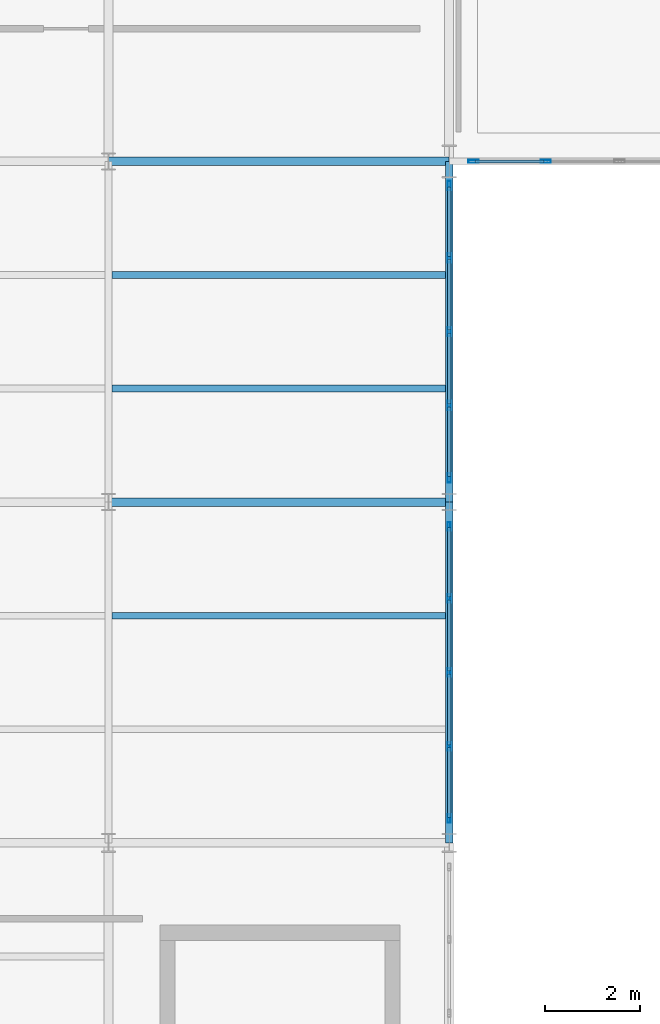
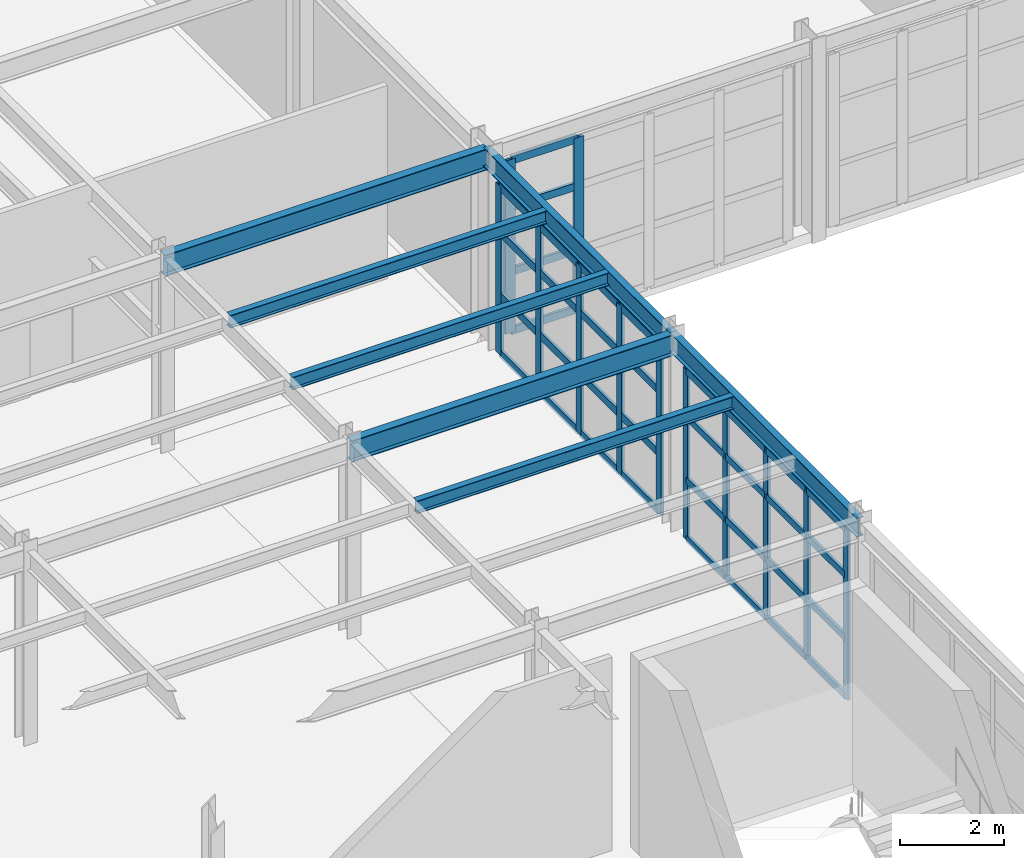
# One storey, part 28 of 126: 48 members, 7 beams, 3 elements without a shape of their own.
"""IFC4 building model written with IfcOpenShell, lengths in metres."""

from ifc_helpers import new_model, si_unit, direction, frame, origin, origin_2d, place, context, subcontext, project, spatial, hollow_rectangle, i_section, extrude, material, layer, layer_set, material_profile, profile_set, type_object, element, aggregate, save


model = new_model("IFC4")

# Units and contexts
model_context = context("Model", 3, precision=1e-05, world=origin(), true_north=direction((0.0, 1.0)))
body_context = subcontext(model_context, "Body", "Model", "MODEL_VIEW")
ifc_project = project(units=[si_unit("LENGTHUNIT", "METRE"), si_unit("AREAUNIT", "SQUARE_METRE"), si_unit("VOLUMEUNIT", "CUBIC_METRE"), si_unit("PLANEANGLEUNIT", "RADIAN"), si_unit("MASSUNIT", "GRAM", prefix="KILO")], contexts=[model_context])

# Site, building, storey
site_placement = place(None, origin())
site = spatial("IfcSite", under=ifc_project, at=site_placement, CompositionType="ELEMENT")
building_placement = place(site_placement, origin())
building = spatial("IfcBuilding", under=site, at=building_placement, Name="Solvadek Multi-Sports Hall", CompositionType="ELEMENT")
storey_placement = place(building_placement, frame((0.0, 0.0, 9.60009765625)))
storey = spatial("IfcBuildingStorey", under=building, at=storey_placement, Name="L02", CompositionType="ELEMENT", Elevation=9.60009765625)

# Curtain wall, members
ifc_material_1 = material(Name="Anodised aluminium", Category="aluminium")
ifc_layer_1 = layer(ifc_material_1, 0.159912109375, Name="Anodised aluminium")
ifc_layer_set_1 = layer_set([ifc_layer_1], Name="Anodised aluminium")
curtain_wall_type_1 = type_object("IfcCurtainWallType", Name="ENV-CW-624X400", PredefinedType="USERDEFINED", material=ifc_layer_set_1)
curtain_wall_1_placement = place(storey_placement, origin())
curtain_wall_1 = element("IfcCurtainWall", 1, at=curtain_wall_1_placement, inside=storey, type_object=curtain_wall_type_1, Name="L02 Perimeter Bay Curtain Wall #194", ObjectType="CURTAIN WALL", PredefinedType="USERDEFINED")
ifc_material_profile_1 = material_profile(ifc_material_1, hollow_rectangle(XDim=0.06005859375, YDim=0.179931640625, WallThickness=0.00390625, at=origin_2d()), Name="ALU-M 180x60x4")
ifc_profile_set_1 = profile_set([ifc_material_profile_1], Name="Anodised aluminium")
member_type_1 = type_object("IfcMemberType", Name="ENV-CWM-02", PredefinedType="MULLION", material=ifc_profile_set_1)
member_1_placement = place(storey_placement, frame((21.60009765625, 35.31005859375, 0.0), z_axis=(0.0, 0.0, 1.0), x_axis=(-1.0, 0.0, 0.0)))
member_1 = element("IfcMember", 2, at=member_1_placement, type_object=member_type_1, Name="CW-56 mullion 1", PredefinedType="MULLION", context=body_context, shape_type="SweptSolid", body=[
    extrude(hollow_rectangle(XDim=0.06005859375, YDim=0.179931640625, WallThickness=0.00390625, at=origin_2d()), origin(), (0.0, 0.0, 1.0), 4.0),
])
member_2_placement = place(storey_placement, frame((21.60009765625, 36.840087890625, 0.0), z_axis=(0.0, 0.0, 1.0), x_axis=(-1.0, 0.0, 0.0)))
member_2 = element("IfcMember", 3, at=member_2_placement, type_object=member_type_1, Name="CW-56 mullion 2", PredefinedType="MULLION", context=body_context, shape_type="SweptSolid", body=[
    extrude(hollow_rectangle(XDim=0.06005859375, YDim=0.179931640625, WallThickness=0.00390625, at=origin_2d()), origin(), (0.0, 0.0, 1.0), 4.0),
])
member_3_placement = place(storey_placement, frame((21.60009765625, 38.39990234375, 0.0), z_axis=(0.0, 0.0, 1.0), x_axis=(-1.0, 0.0, 0.0)))
member_3 = element("IfcMember", 4, at=member_3_placement, type_object=member_type_1, Name="CW-56 mullion 3", PredefinedType="MULLION", context=body_context, shape_type="SweptSolid", body=[
    extrude(hollow_rectangle(XDim=0.06005859375, YDim=0.179931640625, WallThickness=0.00390625, at=origin_2d()), origin(), (0.0, 0.0, 1.0), 4.0),
])
member_4_placement = place(storey_placement, frame((21.60009765625, 39.9599609375, 0.0), z_axis=(0.0, 0.0, 1.0), x_axis=(-1.0, 0.0, 0.0)))
member_4 = element("IfcMember", 5, at=member_4_placement, type_object=member_type_1, Name="CW-56 mullion 4", PredefinedType="MULLION", context=body_context, shape_type="SweptSolid", body=[
    extrude(hollow_rectangle(XDim=0.06005859375, YDim=0.179931640625, WallThickness=0.00390625, at=origin_2d()), origin(), (0.0, 0.0, 1.0), 4.0),
])
member_5_placement = place(storey_placement, frame((21.60009765625, 41.489990234375, 0.0), z_axis=(0.0, 0.0, 1.0), x_axis=(-1.0, 0.0, 0.0)))
member_5 = element("IfcMember", 6, at=member_5_placement, type_object=member_type_1, Name="CW-56 mullion 5", PredefinedType="MULLION", context=body_context, shape_type="SweptSolid", body=[
    extrude(hollow_rectangle(XDim=0.06005859375, YDim=0.179931640625, WallThickness=0.00390625, at=origin_2d()), origin(), (0.0, 0.0, 1.0), 4.0),
])

ifc_layer_2 = layer(ifc_material_1, 0.159912109375, Name="Anodised aluminium")
ifc_layer_set_2 = layer_set([ifc_layer_2], Name="Anodised aluminium")
curtain_wall_type_2 = type_object("IfcCurtainWallType", Name="ENV-CW-624X397", PredefinedType="USERDEFINED", material=ifc_layer_set_2)
curtain_wall_2_placement = place(storey_placement, origin())
curtain_wall_2 = element("IfcCurtainWall", 7, at=curtain_wall_2_placement, inside=storey, type_object=curtain_wall_type_2, Name="L02 Perimeter Bay Curtain Wall #199", ObjectType="CURTAIN WALL", PredefinedType="USERDEFINED")
ifc_material_profile_2 = material_profile(ifc_material_1, hollow_rectangle(XDim=0.06494140625, YDim=0.199951171875, WallThickness=0.0048828125, at=origin_2d()), Name="ALU-M 200x65x5")
ifc_profile_set_2 = profile_set([ifc_material_profile_2], Name="Anodised aluminium")
member_type_2 = type_object("IfcMemberType", Name="ENV-CWM-03", PredefinedType="MULLION", material=ifc_profile_set_2)
member_6_placement = place(storey_placement, frame((21.60009765625, 42.512451171875, 0.0), z_axis=(0.0, 0.0, 1.0), x_axis=(-1.0, 0.0, 0.0)))
member_6 = element("IfcMember", 8, at=member_6_placement, type_object=member_type_2, Name="CW-57 mullion 1", PredefinedType="MULLION", context=body_context, shape_type="SweptSolid", body=[
    extrude(hollow_rectangle(XDim=0.06494140625, YDim=0.199951171875, WallThickness=0.0048828125, at=origin_2d()), origin(), (0.0, 0.0, 1.0), 3.974853515625),
])
member_7_placement = place(storey_placement, frame((21.60009765625, 44.0400390625, 0.0), z_axis=(0.0, 0.0, 1.0), x_axis=(-1.0, 0.0, 0.0)))
member_7 = element("IfcMember", 9, at=member_7_placement, type_object=member_type_2, Name="CW-57 mullion 2", PredefinedType="MULLION", context=body_context, shape_type="SweptSolid", body=[
    extrude(hollow_rectangle(XDim=0.06494140625, YDim=0.199951171875, WallThickness=0.0048828125, at=origin_2d()), origin(), (0.0, 0.0, 1.0), 3.974853515625),
])
member_8_placement = place(storey_placement, frame((21.60009765625, 45.60009765625, 0.0), z_axis=(0.0, 0.0, 1.0), x_axis=(-1.0, 0.0, 0.0)))
member_8 = element("IfcMember", 10, at=member_8_placement, type_object=member_type_2, Name="CW-57 mullion 3", PredefinedType="MULLION", context=body_context, shape_type="SweptSolid", body=[
    extrude(hollow_rectangle(XDim=0.06494140625, YDim=0.199951171875, WallThickness=0.0048828125, at=origin_2d()), origin(), (0.0, 0.0, 1.0), 3.974853515625),
])
member_9_placement = place(storey_placement, frame((21.60009765625, 47.159912109375, 0.0), z_axis=(0.0, 0.0, 1.0), x_axis=(-1.0, 0.0, 0.0)))
member_9 = element("IfcMember", 11, at=member_9_placement, type_object=member_type_2, Name="CW-57 mullion 4", PredefinedType="MULLION", context=body_context, shape_type="SweptSolid", body=[
    extrude(hollow_rectangle(XDim=0.06494140625, YDim=0.199951171875, WallThickness=0.0048828125, at=origin_2d()), origin(), (0.0, 0.0, 1.0), 3.974853515625),
])
member_10_placement = place(storey_placement, frame((21.60009765625, 48.6875, 0.0), z_axis=(0.0, 0.0, 1.0), x_axis=(-1.0, 0.0, 0.0)))
member_10 = element("IfcMember", 12, at=member_10_placement, type_object=member_type_2, Name="CW-57 mullion 5", PredefinedType="MULLION", context=body_context, shape_type="SweptSolid", body=[
    extrude(hollow_rectangle(XDim=0.06494140625, YDim=0.199951171875, WallThickness=0.0048828125, at=origin_2d()), origin(), (0.0, 0.0, 1.0), 3.974853515625),
])

ifc_layer_3 = layer(ifc_material_1, 0.159912109375, Name="Anodised aluminium")
ifc_layer_set_3 = layer_set([ifc_layer_3], Name="Anodised aluminium")
curtain_wall_type_3 = type_object("IfcCurtainWallType", Name="ENV-CW-624X408", PredefinedType="USERDEFINED", material=ifc_layer_set_3)
curtain_wall_3_placement = place(storey_placement, origin())
curtain_wall_3 = element("IfcCurtainWall", 13, at=curtain_wall_3_placement, inside=storey, type_object=curtain_wall_type_3, Name="L02 Perimeter Bay Curtain Wall #157", ObjectType="CURTAIN WALL", PredefinedType="USERDEFINED")
ifc_material_profile_3 = material_profile(ifc_material_1, hollow_rectangle(XDim=0.06494140625, YDim=0.219970703125, WallThickness=0.0048828125, at=origin_2d()), Name="ALU-M 220x65x5")
ifc_profile_set_3 = profile_set([ifc_material_profile_3], Name="Anodised aluminium")
member_type_3 = type_object("IfcMemberType", Name="ENV-CWM-04", PredefinedType="MULLION", material=ifc_profile_set_3)
member_11_placement = place(storey_placement, frame((22.112548828125, 49.199951171875, 0.0), z_axis=(0.0, 0.0, 1.0), x_axis=(0.0, 1.0, 0.0)))
member_11 = element("IfcMember", 14, at=member_11_placement, type_object=member_type_3, Name="CW-40 mullion 1", PredefinedType="MULLION", context=body_context, shape_type="SweptSolid", body=[
    extrude(hollow_rectangle(XDim=0.06494140625, YDim=0.219970703125, WallThickness=0.0048828125, at=origin_2d()), origin(), (0.0, 0.0, 1.0), 4.074951171875),
])
member_12_placement = place(storey_placement, frame((23.639892578125, 49.199951171875, 0.0), z_axis=(0.0, 0.0, 1.0), x_axis=(0.0, 1.0, 0.0)))
member_12 = element("IfcMember", 15, at=member_12_placement, type_object=member_type_3, Name="CW-40 mullion 2", PredefinedType="MULLION", context=body_context, shape_type="SweptSolid", body=[
    extrude(hollow_rectangle(XDim=0.06494140625, YDim=0.219970703125, WallThickness=0.0048828125, at=origin_2d()), origin(), (0.0, 0.0, 1.0), 4.074951171875),
])

# Member
ifc_material_profile_4 = material_profile(ifc_material_1, hollow_rectangle(XDim=0.06494140625, YDim=0.159912109375, WallThickness=0.00390625, at=origin_2d()), Name="ALU-T 160x65x4")
ifc_profile_set_4 = profile_set([ifc_material_profile_4], Name="Anodised aluminium")
member_type_4 = type_object("IfcMemberType", Name="ENV-CWT-03", PredefinedType="USERDEFINED", material=ifc_profile_set_4)
member_13_placement = place(storey_placement, frame((21.60009765625, 35.340087890625, 0.032470703125), z_axis=(0.0, 1.0, 0.0), x_axis=(-1.0, 0.0, 0.0)))
member_13 = element("IfcMember", 16, at=member_13_placement, type_object=member_type_4, Name="CW-56 transom 1.1", ObjectType="TRANSOM", PredefinedType="USERDEFINED", context=body_context, shape_type="SweptSolid", body=[
    extrude(hollow_rectangle(XDim=0.06494140625, YDim=0.159912109375, WallThickness=0.00390625, at=origin_2d()), origin(), (0.0, 0.0, 1.0), 1.469970703125),
])

member_14_placement = place(storey_placement, frame((21.60009765625, 35.340087890625, 1.39990234375), z_axis=(0.0, 1.0, 0.0), x_axis=(-1.0, 0.0, 0.0)))
member_14 = element("IfcMember", 17, at=member_14_placement, type_object=member_type_4, Name="CW-56 transom 1.2", ObjectType="TRANSOM", PredefinedType="USERDEFINED", context=body_context, shape_type="SweptSolid", body=[
    extrude(hollow_rectangle(XDim=0.06494140625, YDim=0.159912109375, WallThickness=0.00390625, at=origin_2d()), origin(), (0.0, 0.0, 1.0), 1.469970703125),
])

member_15_placement = place(storey_placement, frame((21.60009765625, 35.340087890625, 2.8798828125), z_axis=(0.0, 1.0, 0.0), x_axis=(-1.0, 0.0, 0.0)))
member_15 = element("IfcMember", 18, at=member_15_placement, type_object=member_type_4, Name="CW-56 transom 1.3", ObjectType="TRANSOM", PredefinedType="USERDEFINED", context=body_context, shape_type="SweptSolid", body=[
    extrude(hollow_rectangle(XDim=0.06494140625, YDim=0.159912109375, WallThickness=0.00390625, at=origin_2d()), origin(), (0.0, 0.0, 1.0), 1.469970703125),
])

member_16_placement = place(storey_placement, frame((21.60009765625, 35.340087890625, 3.96728515625), z_axis=(0.0, 1.0, 0.0), x_axis=(-1.0, 0.0, 0.0)))
member_16 = element("IfcMember", 19, at=member_16_placement, type_object=member_type_4, Name="CW-56 transom 1.4", ObjectType="TRANSOM", PredefinedType="USERDEFINED", context=body_context, shape_type="SweptSolid", body=[
    extrude(hollow_rectangle(XDim=0.06494140625, YDim=0.159912109375, WallThickness=0.00390625, at=origin_2d()), origin(), (0.0, 0.0, 1.0), 1.469970703125),
])

member_17_placement = place(storey_placement, frame((21.60009765625, 36.8701171875, 0.032470703125), z_axis=(0.0, 1.0, 0.0), x_axis=(-1.0, 0.0, 0.0)))
member_17 = element("IfcMember", 20, at=member_17_placement, type_object=member_type_4, Name="CW-56 transom 2.1", ObjectType="TRANSOM", PredefinedType="USERDEFINED", context=body_context, shape_type="SweptSolid", body=[
    extrude(hollow_rectangle(XDim=0.06494140625, YDim=0.159912109375, WallThickness=0.00390625, at=origin_2d()), origin(), (0.0, 0.0, 1.0), 1.5),
])

member_18_placement = place(storey_placement, frame((21.60009765625, 36.8701171875, 1.39990234375), z_axis=(0.0, 1.0, 0.0), x_axis=(-1.0, 0.0, 0.0)))
member_18 = element("IfcMember", 21, at=member_18_placement, type_object=member_type_4, Name="CW-56 transom 2.2", ObjectType="TRANSOM", PredefinedType="USERDEFINED", context=body_context, shape_type="SweptSolid", body=[
    extrude(hollow_rectangle(XDim=0.06494140625, YDim=0.159912109375, WallThickness=0.00390625, at=origin_2d()), origin(), (0.0, 0.0, 1.0), 1.5),
])

member_19_placement = place(storey_placement, frame((21.60009765625, 36.8701171875, 2.8798828125), z_axis=(0.0, 1.0, 0.0), x_axis=(-1.0, 0.0, 0.0)))
member_19 = element("IfcMember", 22, at=member_19_placement, type_object=member_type_4, Name="CW-56 transom 2.3", ObjectType="TRANSOM", PredefinedType="USERDEFINED", context=body_context, shape_type="SweptSolid", body=[
    extrude(hollow_rectangle(XDim=0.06494140625, YDim=0.159912109375, WallThickness=0.00390625, at=origin_2d()), origin(), (0.0, 0.0, 1.0), 1.5),
])

member_20_placement = place(storey_placement, frame((21.60009765625, 36.8701171875, 3.96728515625), z_axis=(0.0, 1.0, 0.0), x_axis=(-1.0, 0.0, 0.0)))
member_20 = element("IfcMember", 23, at=member_20_placement, type_object=member_type_4, Name="CW-56 transom 2.4", ObjectType="TRANSOM", PredefinedType="USERDEFINED", context=body_context, shape_type="SweptSolid", body=[
    extrude(hollow_rectangle(XDim=0.06494140625, YDim=0.159912109375, WallThickness=0.00390625, at=origin_2d()), origin(), (0.0, 0.0, 1.0), 1.5),
])

member_21_placement = place(storey_placement, frame((21.60009765625, 38.429931640625, 0.032470703125), z_axis=(0.0, 1.0, 0.0), x_axis=(-1.0, 0.0, 0.0)))
member_21 = element("IfcMember", 24, at=member_21_placement, type_object=member_type_4, Name="CW-56 transom 3.1", ObjectType="TRANSOM", PredefinedType="USERDEFINED", context=body_context, shape_type="SweptSolid", body=[
    extrude(hollow_rectangle(XDim=0.06494140625, YDim=0.159912109375, WallThickness=0.00390625, at=origin_2d()), origin(), (0.0, 0.0, 1.0), 1.5),
])

member_22_placement = place(storey_placement, frame((21.60009765625, 38.429931640625, 1.39990234375), z_axis=(0.0, 1.0, 0.0), x_axis=(-1.0, 0.0, 0.0)))
member_22 = element("IfcMember", 25, at=member_22_placement, type_object=member_type_4, Name="CW-56 transom 3.2", ObjectType="TRANSOM", PredefinedType="USERDEFINED", context=body_context, shape_type="SweptSolid", body=[
    extrude(hollow_rectangle(XDim=0.06494140625, YDim=0.159912109375, WallThickness=0.00390625, at=origin_2d()), origin(), (0.0, 0.0, 1.0), 1.5),
])

member_23_placement = place(storey_placement, frame((21.60009765625, 38.429931640625, 2.8798828125), z_axis=(0.0, 1.0, 0.0), x_axis=(-1.0, 0.0, 0.0)))
member_23 = element("IfcMember", 26, at=member_23_placement, type_object=member_type_4, Name="CW-56 transom 3.3", ObjectType="TRANSOM", PredefinedType="USERDEFINED", context=body_context, shape_type="SweptSolid", body=[
    extrude(hollow_rectangle(XDim=0.06494140625, YDim=0.159912109375, WallThickness=0.00390625, at=origin_2d()), origin(), (0.0, 0.0, 1.0), 1.5),
])

member_24_placement = place(storey_placement, frame((21.60009765625, 38.429931640625, 3.96728515625), z_axis=(0.0, 1.0, 0.0), x_axis=(-1.0, 0.0, 0.0)))
member_24 = element("IfcMember", 27, at=member_24_placement, type_object=member_type_4, Name="CW-56 transom 3.4", ObjectType="TRANSOM", PredefinedType="USERDEFINED", context=body_context, shape_type="SweptSolid", body=[
    extrude(hollow_rectangle(XDim=0.06494140625, YDim=0.159912109375, WallThickness=0.00390625, at=origin_2d()), origin(), (0.0, 0.0, 1.0), 1.5),
])

member_25_placement = place(storey_placement, frame((21.60009765625, 39.989990234375, 0.032470703125), z_axis=(0.0, 1.0, 0.0), x_axis=(-1.0, 0.0, 0.0)))
member_25 = element("IfcMember", 28, at=member_25_placement, type_object=member_type_4, Name="CW-56 transom 4.1", ObjectType="TRANSOM", PredefinedType="USERDEFINED", context=body_context, shape_type="SweptSolid", body=[
    extrude(hollow_rectangle(XDim=0.06494140625, YDim=0.159912109375, WallThickness=0.00390625, at=origin_2d()), origin(), (0.0, 0.0, 1.0), 1.469970703125),
])

member_26_placement = place(storey_placement, frame((21.60009765625, 39.989990234375, 1.39990234375), z_axis=(0.0, 1.0, 0.0), x_axis=(-1.0, 0.0, 0.0)))
member_26 = element("IfcMember", 29, at=member_26_placement, type_object=member_type_4, Name="CW-56 transom 4.2", ObjectType="TRANSOM", PredefinedType="USERDEFINED", context=body_context, shape_type="SweptSolid", body=[
    extrude(hollow_rectangle(XDim=0.06494140625, YDim=0.159912109375, WallThickness=0.00390625, at=origin_2d()), origin(), (0.0, 0.0, 1.0), 1.469970703125),
])

member_27_placement = place(storey_placement, frame((21.60009765625, 39.989990234375, 2.8798828125), z_axis=(0.0, 1.0, 0.0), x_axis=(-1.0, 0.0, 0.0)))
member_27 = element("IfcMember", 30, at=member_27_placement, type_object=member_type_4, Name="CW-56 transom 4.3", ObjectType="TRANSOM", PredefinedType="USERDEFINED", context=body_context, shape_type="SweptSolid", body=[
    extrude(hollow_rectangle(XDim=0.06494140625, YDim=0.159912109375, WallThickness=0.00390625, at=origin_2d()), origin(), (0.0, 0.0, 1.0), 1.469970703125),
])

member_28_placement = place(storey_placement, frame((21.60009765625, 39.989990234375, 3.96728515625), z_axis=(0.0, 1.0, 0.0), x_axis=(-1.0, 0.0, 0.0)))
member_28 = element("IfcMember", 31, at=member_28_placement, type_object=member_type_4, Name="CW-56 transom 4.4", ObjectType="TRANSOM", PredefinedType="USERDEFINED", context=body_context, shape_type="SweptSolid", body=[
    extrude(hollow_rectangle(XDim=0.06494140625, YDim=0.159912109375, WallThickness=0.00390625, at=origin_2d()), origin(), (0.0, 0.0, 1.0), 1.469970703125),
])

aggregate(curtain_wall_1, [member_1, member_2, member_3, member_4, member_5, member_13, member_14, member_15, member_16, member_17, member_18, member_19, member_20, member_21, member_22, member_23, member_24, member_25, member_26, member_27, member_28])

ifc_material_profile_5 = material_profile(ifc_material_1, hollow_rectangle(XDim=0.06494140625, YDim=0.179931640625, WallThickness=0.0048828125, at=origin_2d()), Name="ALU-T 180x65x5")
ifc_profile_set_5 = profile_set([ifc_material_profile_5], Name="Anodised aluminium")
member_type_5 = type_object("IfcMemberType", Name="ENV-CWT-04", PredefinedType="USERDEFINED", material=ifc_profile_set_5)
member_29_placement = place(storey_placement, frame((22.14501953125, 49.199951171875, 0.032470703125), z_axis=(1.0, 0.0, 0.0), x_axis=(0.0, 1.0, 0.0)))
member_29 = element("IfcMember", 32, at=member_29_placement, type_object=member_type_5, Name="CW-40 transom 1.1", ObjectType="TRANSOM", PredefinedType="USERDEFINED", context=body_context, shape_type="SweptSolid", body=[
    extrude(hollow_rectangle(XDim=0.06494140625, YDim=0.179931640625, WallThickness=0.0048828125, at=origin_2d()), origin(), (0.0, 0.0, 1.0), 1.46240234375),
])

member_30_placement = place(storey_placement, frame((22.14501953125, 49.199951171875, 1.42578125), z_axis=(1.0, 0.0, 0.0), x_axis=(0.0, 1.0, 0.0)))
member_30 = element("IfcMember", 33, at=member_30_placement, type_object=member_type_5, Name="CW-40 transom 1.2", ObjectType="TRANSOM", PredefinedType="USERDEFINED", context=body_context, shape_type="SweptSolid", body=[
    extrude(hollow_rectangle(XDim=0.06494140625, YDim=0.179931640625, WallThickness=0.0048828125, at=origin_2d()), origin(), (0.0, 0.0, 1.0), 1.46240234375),
])

member_31_placement = place(storey_placement, frame((22.14501953125, 49.199951171875, 2.933837890625), z_axis=(1.0, 0.0, 0.0), x_axis=(0.0, 1.0, 0.0)))
member_31 = element("IfcMember", 34, at=member_31_placement, type_object=member_type_5, Name="CW-40 transom 1.3", ObjectType="TRANSOM", PredefinedType="USERDEFINED", context=body_context, shape_type="SweptSolid", body=[
    extrude(hollow_rectangle(XDim=0.06494140625, YDim=0.179931640625, WallThickness=0.0048828125, at=origin_2d()), origin(), (0.0, 0.0, 1.0), 1.46240234375),
])

member_32_placement = place(storey_placement, frame((22.14501953125, 49.199951171875, 4.04248046875), z_axis=(1.0, 0.0, 0.0), x_axis=(0.0, 1.0, 0.0)))
member_32 = element("IfcMember", 35, at=member_32_placement, type_object=member_type_5, Name="CW-40 transom 1.4", ObjectType="TRANSOM", PredefinedType="USERDEFINED", context=body_context, shape_type="SweptSolid", body=[
    extrude(hollow_rectangle(XDim=0.06494140625, YDim=0.179931640625, WallThickness=0.0048828125, at=origin_2d()), origin(), (0.0, 0.0, 1.0), 1.46240234375),
])

aggregate(curtain_wall_3, [member_11, member_12, member_29, member_30, member_31, member_32])

member_33_placement = place(storey_placement, frame((21.60009765625, 42.544921875, 0.032470703125), z_axis=(0.0, 1.0, 0.0), x_axis=(-1.0, 0.0, 0.0)))
member_33 = element("IfcMember", 36, at=member_33_placement, type_object=member_type_5, Name="CW-57 transom 1.1", ObjectType="TRANSOM", PredefinedType="USERDEFINED", context=body_context, shape_type="SweptSolid", body=[
    extrude(hollow_rectangle(XDim=0.06494140625, YDim=0.179931640625, WallThickness=0.0048828125, at=origin_2d()), origin(), (0.0, 0.0, 1.0), 1.462646484375),
])

member_34_placement = place(storey_placement, frame((21.60009765625, 42.544921875, 1.390869140625), z_axis=(0.0, 1.0, 0.0), x_axis=(-1.0, 0.0, 0.0)))
member_34 = element("IfcMember", 37, at=member_34_placement, type_object=member_type_5, Name="CW-57 transom 1.2", ObjectType="TRANSOM", PredefinedType="USERDEFINED", context=body_context, shape_type="SweptSolid", body=[
    extrude(hollow_rectangle(XDim=0.06494140625, YDim=0.179931640625, WallThickness=0.0048828125, at=origin_2d()), origin(), (0.0, 0.0, 1.0), 1.462646484375),
])

member_35_placement = place(storey_placement, frame((21.60009765625, 42.544921875, 2.86181640625), z_axis=(0.0, 1.0, 0.0), x_axis=(-1.0, 0.0, 0.0)))
member_35 = element("IfcMember", 38, at=member_35_placement, type_object=member_type_5, Name="CW-57 transom 1.3", ObjectType="TRANSOM", PredefinedType="USERDEFINED", context=body_context, shape_type="SweptSolid", body=[
    extrude(hollow_rectangle(XDim=0.06494140625, YDim=0.179931640625, WallThickness=0.0048828125, at=origin_2d()), origin(), (0.0, 0.0, 1.0), 1.462646484375),
])

member_36_placement = place(storey_placement, frame((21.60009765625, 42.544921875, 3.9423828125), z_axis=(0.0, 1.0, 0.0), x_axis=(-1.0, 0.0, 0.0)))
member_36 = element("IfcMember", 39, at=member_36_placement, type_object=member_type_5, Name="CW-57 transom 1.4", ObjectType="TRANSOM", PredefinedType="USERDEFINED", context=body_context, shape_type="SweptSolid", body=[
    extrude(hollow_rectangle(XDim=0.06494140625, YDim=0.179931640625, WallThickness=0.0048828125, at=origin_2d()), origin(), (0.0, 0.0, 1.0), 1.462646484375),
])

member_37_placement = place(storey_placement, frame((21.60009765625, 44.072509765625, 0.032470703125), z_axis=(0.0, 1.0, 0.0), x_axis=(-1.0, 0.0, 0.0)))
member_37 = element("IfcMember", 40, at=member_37_placement, type_object=member_type_5, Name="CW-57 transom 2.1", ObjectType="TRANSOM", PredefinedType="USERDEFINED", context=body_context, shape_type="SweptSolid", body=[
    extrude(hollow_rectangle(XDim=0.06494140625, YDim=0.179931640625, WallThickness=0.0048828125, at=origin_2d()), origin(), (0.0, 0.0, 1.0), 1.494873046875),
])

member_38_placement = place(storey_placement, frame((21.60009765625, 44.072509765625, 1.390869140625), z_axis=(0.0, 1.0, 0.0), x_axis=(-1.0, 0.0, 0.0)))
member_38 = element("IfcMember", 41, at=member_38_placement, type_object=member_type_5, Name="CW-57 transom 2.2", ObjectType="TRANSOM", PredefinedType="USERDEFINED", context=body_context, shape_type="SweptSolid", body=[
    extrude(hollow_rectangle(XDim=0.06494140625, YDim=0.179931640625, WallThickness=0.0048828125, at=origin_2d()), origin(), (0.0, 0.0, 1.0), 1.494873046875),
])

member_39_placement = place(storey_placement, frame((21.60009765625, 44.072509765625, 2.86181640625), z_axis=(0.0, 1.0, 0.0), x_axis=(-1.0, 0.0, 0.0)))
member_39 = element("IfcMember", 42, at=member_39_placement, type_object=member_type_5, Name="CW-57 transom 2.3", ObjectType="TRANSOM", PredefinedType="USERDEFINED", context=body_context, shape_type="SweptSolid", body=[
    extrude(hollow_rectangle(XDim=0.06494140625, YDim=0.179931640625, WallThickness=0.0048828125, at=origin_2d()), origin(), (0.0, 0.0, 1.0), 1.494873046875),
])

member_40_placement = place(storey_placement, frame((21.60009765625, 44.072509765625, 3.9423828125), z_axis=(0.0, 1.0, 0.0), x_axis=(-1.0, 0.0, 0.0)))
member_40 = element("IfcMember", 43, at=member_40_placement, type_object=member_type_5, Name="CW-57 transom 2.4", ObjectType="TRANSOM", PredefinedType="USERDEFINED", context=body_context, shape_type="SweptSolid", body=[
    extrude(hollow_rectangle(XDim=0.06494140625, YDim=0.179931640625, WallThickness=0.0048828125, at=origin_2d()), origin(), (0.0, 0.0, 1.0), 1.494873046875),
])

member_41_placement = place(storey_placement, frame((21.60009765625, 45.632568359375, 0.032470703125), z_axis=(0.0, 1.0, 0.0), x_axis=(-1.0, 0.0, 0.0)))
member_41 = element("IfcMember", 44, at=member_41_placement, type_object=member_type_5, Name="CW-57 transom 3.1", ObjectType="TRANSOM", PredefinedType="USERDEFINED", context=body_context, shape_type="SweptSolid", body=[
    extrude(hollow_rectangle(XDim=0.06494140625, YDim=0.179931640625, WallThickness=0.0048828125, at=origin_2d()), origin(), (0.0, 0.0, 1.0), 1.494873046875),
])

member_42_placement = place(storey_placement, frame((21.60009765625, 45.632568359375, 1.390869140625), z_axis=(0.0, 1.0, 0.0), x_axis=(-1.0, 0.0, 0.0)))
member_42 = element("IfcMember", 45, at=member_42_placement, type_object=member_type_5, Name="CW-57 transom 3.2", ObjectType="TRANSOM", PredefinedType="USERDEFINED", context=body_context, shape_type="SweptSolid", body=[
    extrude(hollow_rectangle(XDim=0.06494140625, YDim=0.179931640625, WallThickness=0.0048828125, at=origin_2d()), origin(), (0.0, 0.0, 1.0), 1.494873046875),
])

member_43_placement = place(storey_placement, frame((21.60009765625, 45.632568359375, 2.86181640625), z_axis=(0.0, 1.0, 0.0), x_axis=(-1.0, 0.0, 0.0)))
member_43 = element("IfcMember", 46, at=member_43_placement, type_object=member_type_5, Name="CW-57 transom 3.3", ObjectType="TRANSOM", PredefinedType="USERDEFINED", context=body_context, shape_type="SweptSolid", body=[
    extrude(hollow_rectangle(XDim=0.06494140625, YDim=0.179931640625, WallThickness=0.0048828125, at=origin_2d()), origin(), (0.0, 0.0, 1.0), 1.494873046875),
])

member_44_placement = place(storey_placement, frame((21.60009765625, 45.632568359375, 3.9423828125), z_axis=(0.0, 1.0, 0.0), x_axis=(-1.0, 0.0, 0.0)))
member_44 = element("IfcMember", 47, at=member_44_placement, type_object=member_type_5, Name="CW-57 transom 3.4", ObjectType="TRANSOM", PredefinedType="USERDEFINED", context=body_context, shape_type="SweptSolid", body=[
    extrude(hollow_rectangle(XDim=0.06494140625, YDim=0.179931640625, WallThickness=0.0048828125, at=origin_2d()), origin(), (0.0, 0.0, 1.0), 1.494873046875),
])

member_45_placement = place(storey_placement, frame((21.60009765625, 47.1923828125, 0.032470703125), z_axis=(0.0, 1.0, 0.0), x_axis=(-1.0, 0.0, 0.0)))
member_45 = element("IfcMember", 48, at=member_45_placement, type_object=member_type_5, Name="CW-57 transom 4.1", ObjectType="TRANSOM", PredefinedType="USERDEFINED", context=body_context, shape_type="SweptSolid", body=[
    extrude(hollow_rectangle(XDim=0.06494140625, YDim=0.179931640625, WallThickness=0.0048828125, at=origin_2d()), origin(), (0.0, 0.0, 1.0), 1.462646484375),
])

member_46_placement = place(storey_placement, frame((21.60009765625, 47.1923828125, 1.390869140625), z_axis=(0.0, 1.0, 0.0), x_axis=(-1.0, 0.0, 0.0)))
member_46 = element("IfcMember", 49, at=member_46_placement, type_object=member_type_5, Name="CW-57 transom 4.2", ObjectType="TRANSOM", PredefinedType="USERDEFINED", context=body_context, shape_type="SweptSolid", body=[
    extrude(hollow_rectangle(XDim=0.06494140625, YDim=0.179931640625, WallThickness=0.0048828125, at=origin_2d()), origin(), (0.0, 0.0, 1.0), 1.462646484375),
])

member_47_placement = place(storey_placement, frame((21.60009765625, 47.1923828125, 2.86181640625), z_axis=(0.0, 1.0, 0.0), x_axis=(-1.0, 0.0, 0.0)))
member_47 = element("IfcMember", 50, at=member_47_placement, type_object=member_type_5, Name="CW-57 transom 4.3", ObjectType="TRANSOM", PredefinedType="USERDEFINED", context=body_context, shape_type="SweptSolid", body=[
    extrude(hollow_rectangle(XDim=0.06494140625, YDim=0.179931640625, WallThickness=0.0048828125, at=origin_2d()), origin(), (0.0, 0.0, 1.0), 1.462646484375),
])

member_48_placement = place(storey_placement, frame((21.60009765625, 47.1923828125, 3.9423828125), z_axis=(0.0, 1.0, 0.0), x_axis=(-1.0, 0.0, 0.0)))
member_48 = element("IfcMember", 51, at=member_48_placement, type_object=member_type_5, Name="CW-57 transom 4.4", ObjectType="TRANSOM", PredefinedType="USERDEFINED", context=body_context, shape_type="SweptSolid", body=[
    extrude(hollow_rectangle(XDim=0.06494140625, YDim=0.179931640625, WallThickness=0.0048828125, at=origin_2d()), origin(), (0.0, 0.0, 1.0), 1.462646484375),
])

aggregate(curtain_wall_2, [member_6, member_7, member_8, member_9, member_10, member_33, member_34, member_35, member_36, member_37, member_38, member_39, member_40, member_41, member_42, member_43, member_44, member_45, member_46, member_47, member_48])

# Beams
ifc_material_2 = material(Name="Steel E350 (350 MPa)", Category="steel")
ifc_material_profile_6 = material_profile(ifc_material_2, i_section(OverallWidth=0.14990234375, OverallDepth=0.449951171875, WebThickness=0.009521484375, FlangeThickness=0.017333984375, at=origin_2d()), Name="ISMB 450")
ifc_profile_set_6 = profile_set([ifc_material_profile_6], Name="Steel E350 (350 MPa)")
beam_type_1 = type_object("IfcBeamType", Name="STR-BM-ISMB450", PredefinedType="BEAM", material=ifc_profile_set_6)
for number, where, z_axis, x_axis, name in (
    (52, (21.60009765625, 34.800048828125, 4.3349609375), (0.0, 1.0, 0.0), (-1.0, 0.0, 0.0), "L02 Girder B-09 #1488"),
    (53, (21.60009765625, 42.0, 4.3349609375), (0.0, 1.0, 0.0), (-1.0, 0.0, 0.0), "L02 Girder B-09 #1489"),
):
    element("IfcBeam", number, at=place(storey_placement, frame(where, z_axis=z_axis, x_axis=x_axis)), inside=storey, type_object=beam_type_1, Name=name, PredefinedType="BEAM", context=body_context, shape_type="SweptSolid", body=[
        extrude(i_section(OverallWidth=0.14990234375, OverallDepth=0.449951171875, WebThickness=0.009521484375, FlangeThickness=0.017333984375, at=origin_2d()), origin(), (0.0, 0.0, 1.0), 7.199951171875),
    ])
ifc_material_profile_7 = material_profile(ifc_material_2, i_section(OverallWidth=0.179931640625, OverallDepth=0.5, WebThickness=0.01025390625, FlangeThickness=0.01708984375, at=origin_2d()), Name="ISMB 500")
ifc_profile_set_7 = profile_set([ifc_material_profile_7], Name="Steel E350 (350 MPa)")
beam_type_2 = type_object("IfcBeamType", Name="STR-BM-ISMB500", PredefinedType="BEAM", material=ifc_profile_set_7)
for number, where, z_axis, x_axis, name in (
    (54, (14.39990234375, 42.0, 4.309814453125), (1.0, 0.0, 0.0), (0.0, 1.0, 0.0), "L02 Girder B-07 #1350"),
    (55, (14.39990234375, 49.199951171875, 4.309814453125), (1.0, 0.0, 0.0), (0.0, 1.0, 0.0), "L02 Girder B-07 #1367"),
):
    element("IfcBeam", number, at=place(storey_placement, frame(where, z_axis=z_axis, x_axis=x_axis)), inside=storey, type_object=beam_type_2, Name=name, PredefinedType="BEAM", context=body_context, shape_type="SweptSolid", body=[
        extrude(i_section(OverallWidth=0.179931640625, OverallDepth=0.5, WebThickness=0.01025390625, FlangeThickness=0.01708984375, at=origin_2d()), origin(), (0.0, 0.0, 1.0), 7.2001953125),
    ])
ifc_material_profile_8 = material_profile(ifc_material_2, i_section(OverallWidth=0.139892578125, OverallDepth=0.300048828125, WebThickness=0.0078125, FlangeThickness=0.01318359375, at=origin_2d()), Name="ISMB 300")
ifc_profile_set_8 = profile_set([ifc_material_profile_8], Name="Steel E350 (350 MPa)")
beam_type_3 = type_object("IfcBeamType", Name="STR-JST-ISMB300", PredefinedType="JOIST", material=ifc_profile_set_8)
for number, where, z_axis, x_axis, name in (
    (56, (14.47509765625, 39.60009765625, 4.409912109375), (1.0, 0.0, 0.0), (0.0, 1.0, 0.0), "L02 Composite Joist J-03 #798"),
    (57, (14.47509765625, 44.39990234375, 4.409912109375), (1.0, 0.0, 0.0), (0.0, 1.0, 0.0), "L02 Composite Joist J-03 #809"),
    (58, (14.47509765625, 46.800048828125, 4.409912109375), (1.0, 0.0, 0.0), (0.0, 1.0, 0.0), "L02 Composite Joist J-03 #810"),
):
    element("IfcBeam", number, at=place(storey_placement, frame(where, z_axis=z_axis, x_axis=x_axis)), inside=storey, type_object=beam_type_3, Name=name, PredefinedType="JOIST", context=body_context, shape_type="SweptSolid", body=[
        extrude(i_section(OverallWidth=0.139892578125, OverallDepth=0.300048828125, WebThickness=0.0078125, FlangeThickness=0.01318359375, at=origin_2d()), origin(), (0.0, 0.0, 1.0), 7.0498046875),
    ])

save(model, "model.ifc")
